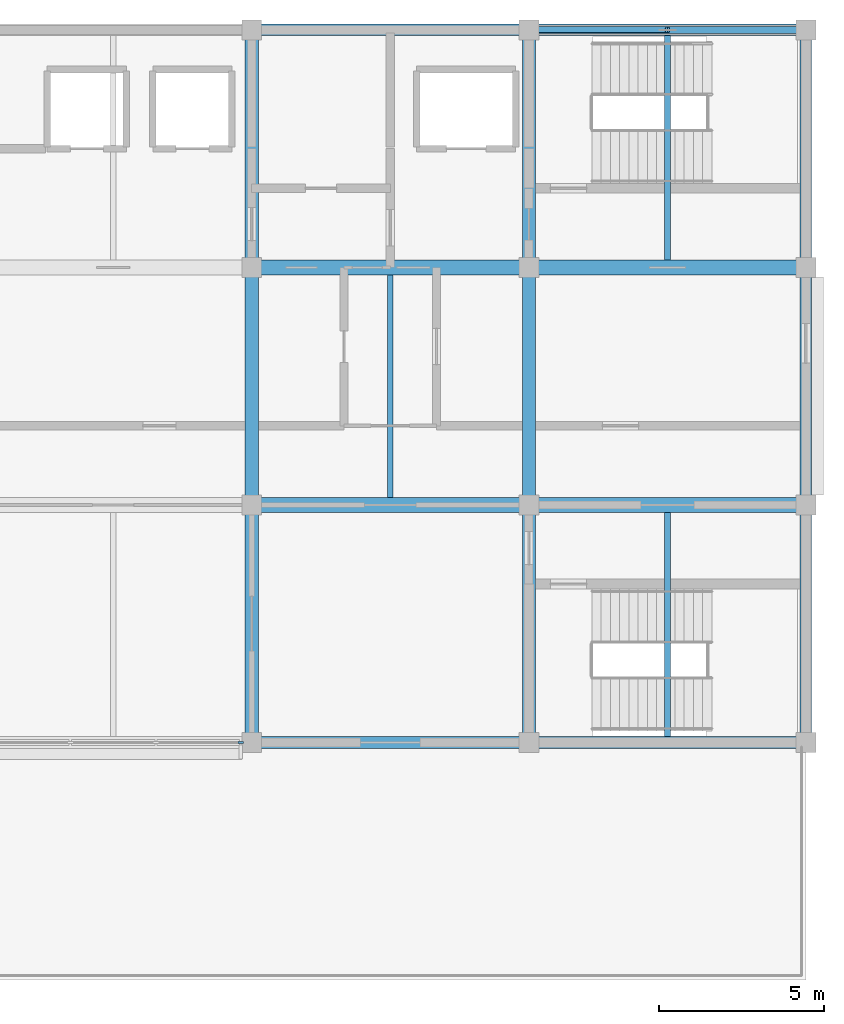
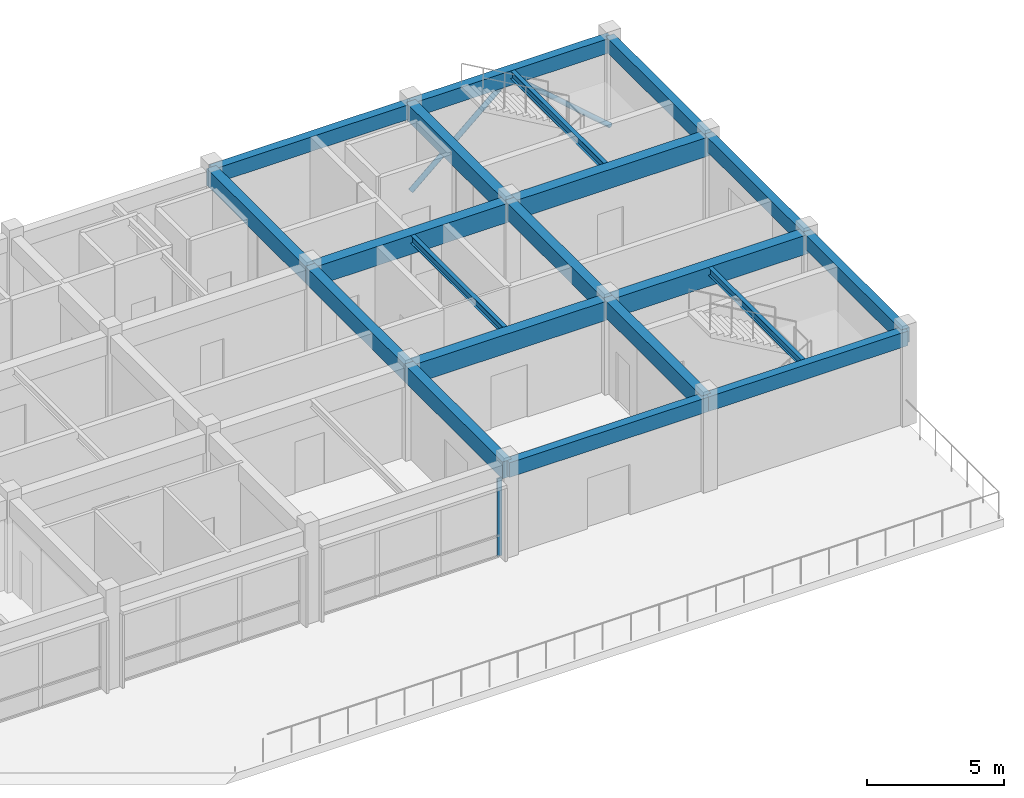
# One storey, part 4 of 11: 20 beams, 3 members, 1 element without a shape of its own.
"""IFC4 building model written with IfcOpenShell, lengths in metres."""

from ifc_helpers import new_model, si_unit, direction, frame, origin, origin_2d, place, context, subcontext, project, spatial, rectangle, hollow_circle, i_section, extrude, material, layer, layer_set, material_profile, profile_set, type_object, element, aggregate, save


model = new_model("IFC4")

# Units and contexts
model_context = context("Model", 3, precision=1e-05, world=origin(), true_north=direction((0.0, 1.0)))
body_context = subcontext(model_context, "Body", "Model", "MODEL_VIEW")
ifc_project = project(units=[si_unit("LENGTHUNIT", "METRE"), si_unit("AREAUNIT", "SQUARE_METRE"), si_unit("VOLUMEUNIT", "CUBIC_METRE"), si_unit("PLANEANGLEUNIT", "RADIAN"), si_unit("MASSUNIT", "GRAM", prefix="KILO")], contexts=[model_context])

# Site, building, storey
site_placement = place(None, origin())
site = spatial("IfcSite", under=ifc_project, at=site_placement, CompositionType="ELEMENT")
building_placement = place(site_placement, origin())
building = spatial("IfcBuilding", under=site, at=building_placement, Name="Chengyuan Square Courthouse", CompositionType="ELEMENT")
storey_placement = place(building_placement, frame((0.0, 0.0, 68.699951171875)))
storey = spatial("IfcBuildingStorey", under=building, at=storey_placement, Name="L16", CompositionType="ELEMENT", Elevation=68.699951171875)

# Beams
ifc_material_1 = material(Name="Concrete C40", Category="concrete")
ifc_material_profile_1 = material_profile(ifc_material_1, rectangle(XDim=0.449951171875, YDim=0.85009765625, at=origin_2d()), Name="RC-BM-450x850")
ifc_profile_set_1 = profile_set([ifc_material_profile_1], Name="Concrete C40")
beam_type_1 = type_object("IfcBeamType", Name="BM-01", PredefinedType="USERDEFINED", material=ifc_profile_set_1)
beam_1_placement = place(storey_placement, frame((92.39990234375, 93.60009765625, 3.695068359375), z_axis=(1.0, 0.0, 0.0), x_axis=(0.0, 1.0, 0.0)))
element("IfcBeam", 1, at=beam_1_placement, inside=storey, type_object=beam_type_1, Name="Girder BM-L16-4568", ObjectType="GIRDER", PredefinedType="USERDEFINED", context=body_context, shape_type="SweptSolid", body=[
    extrude(rectangle(XDim=0.449951171875, YDim=0.85009765625, at=origin_2d()), origin(), (0.0, 0.0, 1.0), 8.400146484375),
])
beam_2_placement = place(storey_placement, frame((100.800048828125, 93.60009765625, 3.695068359375), z_axis=(1.0, 0.0, 0.0), x_axis=(0.0, 1.0, 0.0)))
element("IfcBeam", 2, at=beam_2_placement, inside=storey, type_object=beam_type_1, Name="Girder BM-L16-4569", ObjectType="GIRDER", PredefinedType="USERDEFINED", context=body_context, shape_type="SweptSolid", body=[
    extrude(rectangle(XDim=0.449951171875, YDim=0.85009765625, at=origin_2d()), origin(), (0.0, 0.0, 1.0), 8.39990234375),
])
beam_3_placement = place(storey_placement, frame((92.39990234375, 100.800048828125, 3.695068359375), z_axis=(1.0, 0.0, 0.0), x_axis=(0.0, 1.0, 0.0)))
element("IfcBeam", 3, at=beam_3_placement, inside=storey, type_object=beam_type_1, Name="Girder BM-L16-4574", ObjectType="GIRDER", PredefinedType="USERDEFINED", context=body_context, shape_type="SweptSolid", body=[
    extrude(rectangle(XDim=0.449951171875, YDim=0.85009765625, at=origin_2d()), origin(), (0.0, 0.0, 1.0), 8.400146484375),
])
beam_4_placement = place(storey_placement, frame((100.800048828125, 100.800048828125, 3.695068359375), z_axis=(1.0, 0.0, 0.0), x_axis=(0.0, 1.0, 0.0)))
element("IfcBeam", 4, at=beam_4_placement, inside=storey, type_object=beam_type_1, Name="Girder BM-L16-4575", ObjectType="GIRDER", PredefinedType="USERDEFINED", context=body_context, shape_type="SweptSolid", body=[
    extrude(rectangle(XDim=0.449951171875, YDim=0.85009765625, at=origin_2d()), origin(), (0.0, 0.0, 1.0), 8.39990234375),
])
ifc_material_profile_2 = material_profile(ifc_material_1, rectangle(XDim=0.39990234375, YDim=0.75, at=origin_2d()), Name="RC-BM-400x750")
ifc_profile_set_2 = profile_set([ifc_material_profile_2], Name="Concrete C40")
beam_type_2 = type_object("IfcBeamType", Name="BM-02", PredefinedType="USERDEFINED", material=ifc_profile_set_2)
beam_5_placement = place(storey_placement, frame((92.39990234375, 86.39990234375, 3.7451171875), z_axis=(0.0, 1.0, 0.0), x_axis=(-1.0, 0.0, 0.0)))
element("IfcBeam", 5, at=beam_5_placement, inside=storey, type_object=beam_type_2, Name="Girder BM-L16-4594", ObjectType="GIRDER", PredefinedType="USERDEFINED", context=body_context, shape_type="SweptSolid", body=[
    extrude(rectangle(XDim=0.39990234375, YDim=0.75, at=origin_2d()), origin(), (0.0, 0.0, 1.0), 7.2001953125),
])
for number, where, z_axis, x_axis, name in (
    (6, (92.39990234375, 93.60009765625, 3.7451171875), (0.0, 1.0, 0.0), (-1.0, 0.0, 0.0), "Girder BM-L16-4595"),
    (7, (92.39990234375, 100.800048828125, 3.7451171875), (0.0, 1.0, 0.0), (-1.0, 0.0, 0.0), "Girder BM-L16-4596"),
):
    element("IfcBeam", number, at=place(storey_placement, frame(where, z_axis=z_axis, x_axis=x_axis)), inside=storey, type_object=beam_type_2, Name=name, ObjectType="GIRDER", PredefinedType="USERDEFINED", context=body_context, shape_type="SweptSolid", body=[
        extrude(rectangle(XDim=0.39990234375, YDim=0.75, at=origin_2d()), origin(), (0.0, 0.0, 1.0), 7.199951171875),
    ])
beam_6_placement = place(storey_placement, frame((100.800048828125, 86.39990234375, 3.7451171875), z_axis=(0.0, 1.0, 0.0), x_axis=(-1.0, 0.0, 0.0)))
element("IfcBeam", 8, at=beam_6_placement, inside=storey, type_object=beam_type_2, Name="Girder BM-L16-4597", ObjectType="GIRDER", PredefinedType="USERDEFINED", context=body_context, shape_type="SweptSolid", body=[
    extrude(rectangle(XDim=0.39990234375, YDim=0.75, at=origin_2d()), origin(), (0.0, 0.0, 1.0), 7.2001953125),
])
for number, where, z_axis, x_axis, name in (
    (9, (100.800048828125, 93.60009765625, 3.7451171875), (0.0, 1.0, 0.0), (-1.0, 0.0, 0.0), "Girder BM-L16-4598"),
    (10, (100.800048828125, 100.800048828125, 3.7451171875), (0.0, 1.0, 0.0), (-1.0, 0.0, 0.0), "Girder BM-L16-4599"),
):
    element("IfcBeam", number, at=place(storey_placement, frame(where, z_axis=z_axis, x_axis=x_axis)), inside=storey, type_object=beam_type_2, Name=name, ObjectType="GIRDER", PredefinedType="USERDEFINED", context=body_context, shape_type="SweptSolid", body=[
        extrude(rectangle(XDim=0.39990234375, YDim=0.75, at=origin_2d()), origin(), (0.0, 0.0, 1.0), 7.199951171875),
    ])
ifc_material_profile_3 = material_profile(ifc_material_1, rectangle(XDim=0.35009765625, YDim=0.64990234375, at=origin_2d()), Name="RC-BM-350x650")
ifc_profile_set_3 = profile_set([ifc_material_profile_3], Name="Concrete C40")
beam_type_3 = type_object("IfcBeamType", Name="BM-03", PredefinedType="SPANDREL", material=ifc_profile_set_3)
beam_7_placement = place(storey_placement, frame((92.39990234375, 86.39990234375, 3.795166015625), z_axis=(1.0, 0.0, 0.0), x_axis=(0.0, 1.0, 0.0)))
element("IfcBeam", 11, at=beam_7_placement, inside=storey, type_object=beam_type_3, Name="Girder BM-L16-4562", PredefinedType="SPANDREL", context=body_context, shape_type="SweptSolid", body=[
    extrude(rectangle(XDim=0.35009765625, YDim=0.64990234375, at=origin_2d()), origin(), (0.0, 0.0, 1.0), 8.400146484375),
])
beam_8_placement = place(storey_placement, frame((100.800048828125, 86.39990234375, 3.795166015625), z_axis=(1.0, 0.0, 0.0), x_axis=(0.0, 1.0, 0.0)))
element("IfcBeam", 12, at=beam_8_placement, inside=storey, type_object=beam_type_3, Name="Girder BM-L16-4563", PredefinedType="SPANDREL", context=body_context, shape_type="SweptSolid", body=[
    extrude(rectangle(XDim=0.35009765625, YDim=0.64990234375, at=origin_2d()), origin(), (0.0, 0.0, 1.0), 8.39990234375),
])
beam_9_placement = place(storey_placement, frame((92.39990234375, 108.0, 3.795166015625), z_axis=(1.0, 0.0, 0.0), x_axis=(0.0, 1.0, 0.0)))
element("IfcBeam", 13, at=beam_9_placement, inside=storey, type_object=beam_type_3, Name="Girder BM-L16-4580", PredefinedType="SPANDREL", context=body_context, shape_type="SweptSolid", body=[
    extrude(rectangle(XDim=0.35009765625, YDim=0.64990234375, at=origin_2d()), origin(), (0.0, 0.0, 1.0), 8.400146484375),
])
beam_10_placement = place(storey_placement, frame((100.800048828125, 108.0, 3.795166015625), z_axis=(1.0, 0.0, 0.0), x_axis=(0.0, 1.0, 0.0)))
element("IfcBeam", 14, at=beam_10_placement, inside=storey, type_object=beam_type_3, Name="Girder BM-L16-4581", PredefinedType="SPANDREL", context=body_context, shape_type="SweptSolid", body=[
    extrude(rectangle(XDim=0.35009765625, YDim=0.64990234375, at=origin_2d()), origin(), (0.0, 0.0, 1.0), 8.39990234375),
])
beam_11_placement = place(storey_placement, frame((109.199951171875, 86.39990234375, 3.795166015625), z_axis=(0.0, 1.0, 0.0), x_axis=(-1.0, 0.0, 0.0)))
element("IfcBeam", 15, at=beam_11_placement, inside=storey, type_object=beam_type_3, Name="Girder BM-L16-4600", PredefinedType="SPANDREL", context=body_context, shape_type="SweptSolid", body=[
    extrude(rectangle(XDim=0.35009765625, YDim=0.64990234375, at=origin_2d()), origin(), (0.0, 0.0, 1.0), 7.2001953125),
])
for number, where, z_axis, x_axis, name in (
    (16, (109.199951171875, 93.60009765625, 3.795166015625), (0.0, 1.0, 0.0), (-1.0, 0.0, 0.0), "Girder BM-L16-4601"),
    (17, (109.199951171875, 100.800048828125, 3.795166015625), (0.0, 1.0, 0.0), (-1.0, 0.0, 0.0), "Girder BM-L16-4602"),
):
    element("IfcBeam", number, at=place(storey_placement, frame(where, z_axis=z_axis, x_axis=x_axis)), inside=storey, type_object=beam_type_3, Name=name, PredefinedType="SPANDREL", context=body_context, shape_type="SweptSolid", body=[
        extrude(rectangle(XDim=0.35009765625, YDim=0.64990234375, at=origin_2d()), origin(), (0.0, 0.0, 1.0), 7.199951171875),
    ])
ifc_material_2 = material(Name="Steel Q355B", Category="steel")
ifc_material_profile_4 = material_profile(ifc_material_2, i_section(OverallWidth=0.175048828125, OverallDepth=0.35009765625, WebThickness=0.007080078125, FlangeThickness=0.010986328125, at=origin_2d()), Name="HN 350x175x7x11")
ifc_profile_set_4 = profile_set([ifc_material_profile_4], Name="Steel Q355B")
beam_type_4 = type_object("IfcBeamType", Name="BM-08", PredefinedType="BEAM", material=ifc_profile_set_4)
beam_12_placement = place(storey_placement, frame((96.60009765625, 93.824951171875, 3.945068359375), z_axis=(0.0, 1.0, 0.0), x_axis=(-1.0, 0.0, 0.0)))
element("IfcBeam", 18, at=beam_12_placement, inside=storey, type_object=beam_type_4, Name="Secondary Floor Beam SBM-L16-4609", PredefinedType="BEAM", context=body_context, shape_type="SweptSolid", body=[
    extrude(i_section(OverallWidth=0.175048828125, OverallDepth=0.35009765625, WebThickness=0.007080078125, FlangeThickness=0.010986328125, at=origin_2d()), origin(), (0.0, 0.0, 1.0), 6.75),
])
for number, where, z_axis, x_axis, name in (
    (19, (105.0, 86.574951171875, 3.945068359375), (0.0, 1.0, 0.0), (-1.0, 0.0, 0.0), "Secondary Floor Beam SBM-L16-4610"),
    (20, (105.0, 101.02490234375, 3.945068359375), (0.0, 1.0, 0.0), (-1.0, 0.0, 0.0), "Secondary Floor Beam SBM-L16-4611"),
):
    element("IfcBeam", number, at=place(storey_placement, frame(where, z_axis=z_axis, x_axis=x_axis)), inside=storey, type_object=beam_type_4, Name=name, PredefinedType="BEAM", context=body_context, shape_type="SweptSolid", body=[
        extrude(i_section(OverallWidth=0.175048828125, OverallDepth=0.35009765625, WebThickness=0.007080078125, FlangeThickness=0.010986328125, at=origin_2d()), origin(), (0.0, 0.0, 1.0), 6.800048828125),
    ])

# Members
ifc_material_profile_5 = material_profile(ifc_material_2, hollow_circle(Radius=0.109619140625, WallThickness=0.008056640625, at=origin_2d()), Name="CHS 219x8")
ifc_profile_set_5 = profile_set([ifc_material_profile_5], Name="Steel Q355B")
member_type_1 = type_object("IfcMemberType", Name="BR-02", PredefinedType="BRACE", material=ifc_profile_set_5)
for number, where, z_axis, x_axis, name in (
    (21, (100.800048828125, 108.0, 0.10009765625), (0.753023933517, 0.0, 0.657993127282), (0.0, 1.0, 0.0), "Steel Chevron Brace BR-L16-063"),
    (22, (109.199951171875, 108.0, 0.10009765625), (-0.753023933517, 0.0, 0.657993127282), (0.0, -1.0, 0.0), "Steel Chevron Brace BR-L16-064"),
):
    element("IfcMember", number, at=place(storey_placement, frame(where, z_axis=z_axis, x_axis=x_axis)), inside=storey, type_object=member_type_1, Name=name, PredefinedType="BRACE", context=body_context, shape_type="SweptSolid", body=[
        extrude(hollow_circle(Radius=0.109619140625, WallThickness=0.008056640625, at=origin_2d()), origin(), (0.0, 0.0, 1.0), 5.577392578125),
    ])

# Curtain wall, member
ifc_material_3 = material(Name="Unitised Aluminium and Triple Low-E Glass", Category="aluminium")
ifc_layer = layer(ifc_material_3, 0.179931640625)
ifc_layer_set = layer_set([ifc_layer], Name="Unitised Aluminium and Triple Low-E Glass")
curtain_wall_type = type_object("IfcCurtainWallType", Name="CW-22", PredefinedType="USERDEFINED", material=ifc_layer_set)
curtain_wall_placement = place(storey_placement, origin())
curtain_wall = element("IfcCurtainWall", 23, at=curtain_wall_placement, inside=storey, type_object=curtain_wall_type, Name="Unitised Curtain Wall CW-L16-284", ObjectType="UNITISED CURTAIN WALL", PredefinedType="USERDEFINED")
ifc_material_4 = material(Name="Aluminium 6063-T6 Frame", Category="aluminium")
ifc_material_profile_6 = material_profile(ifc_material_4, rectangle(XDim=0.06494140625, YDim=0.179931640625, at=origin_2d()), Name="CW-MUL-65x180")
ifc_profile_set_6 = profile_set([ifc_material_profile_6], Name="Aluminium 6063-T6 Frame")
member_type_2 = type_object("IfcMemberType", Name="CWM-02", PredefinedType="MULLION", material=ifc_profile_set_6)
member_placement = place(storey_placement, frame((92.0673828125, 86.39990234375, 0.0), z_axis=(0.0, 0.0, 1.0), x_axis=(0.0, 1.0, 0.0)))
member = element("IfcMember", 24, at=member_placement, type_object=member_type_2, Name="CW-22 mullion 4", PredefinedType="MULLION", context=body_context, shape_type="SweptSolid", body=[
    extrude(rectangle(XDim=0.06494140625, YDim=0.179931640625, at=origin_2d()), origin(), (0.0, 0.0, 1.0), 3.469970703125),
])
aggregate(curtain_wall, [member])

save(model, "model.ifc")
